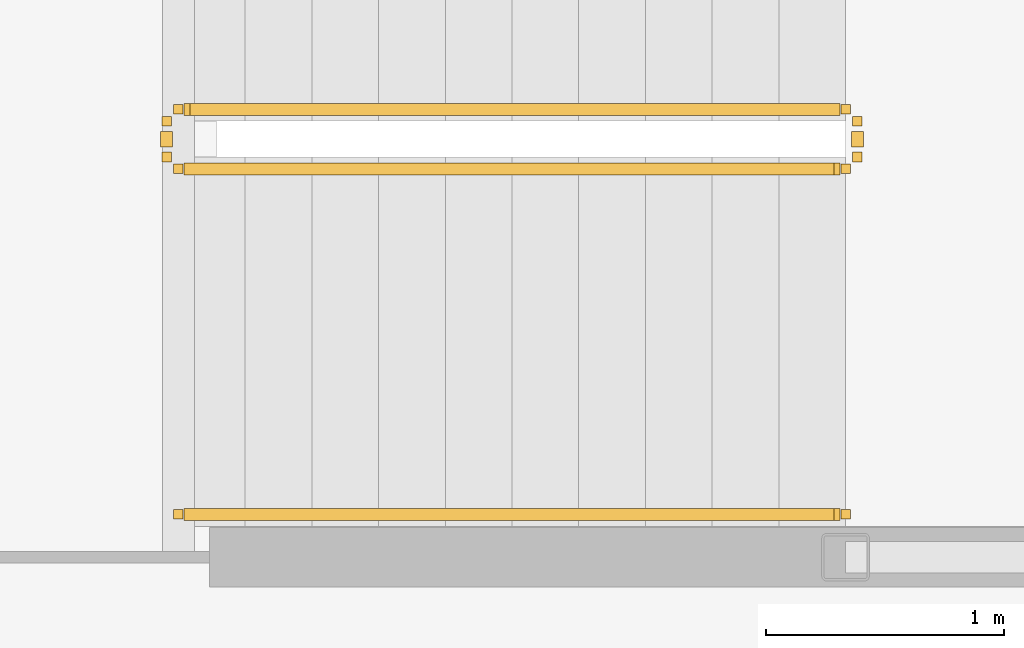
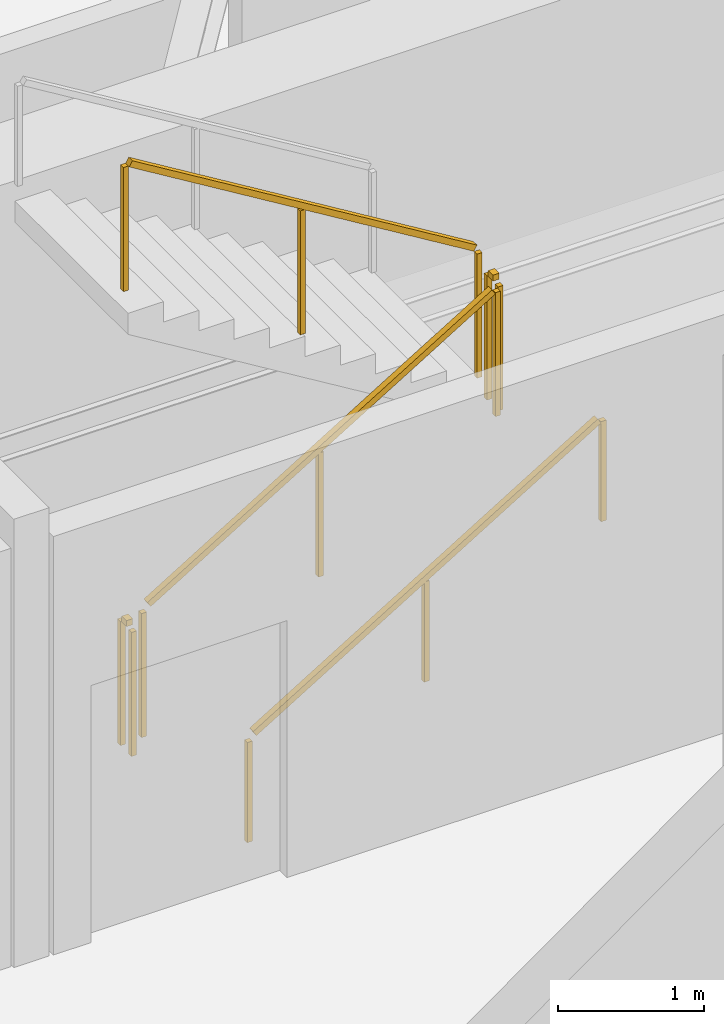
# One storey, part 20 of 21: 5 railings.
"""IFC4 building model written with IfcOpenShell, lengths in metres."""

from ifc_helpers import new_model, si_unit, direction, frame, origin, origin_2d, place, context, subcontext, project, spatial, rectangle, extrude, material, type_object, element, save


model = new_model("IFC4")

# Units and contexts
model_context = context("Model", 3, precision=1e-05, world=origin(), true_north=direction((0.0, 1.0)))
body_context = subcontext(model_context, "Body", "Model", "MODEL_VIEW")
ifc_project = project(units=[si_unit("LENGTHUNIT", "METRE"), si_unit("AREAUNIT", "SQUARE_METRE"), si_unit("VOLUMEUNIT", "CUBIC_METRE"), si_unit("PLANEANGLEUNIT", "RADIAN"), si_unit("MASSUNIT", "GRAM", prefix="KILO")], contexts=[model_context])

# Site, building, storey
site_placement = place(None, origin())
site = spatial("IfcSite", under=ifc_project, at=site_placement, CompositionType="ELEMENT")
building_placement = place(site_placement, origin())
building = spatial("IfcBuilding", under=site, at=building_placement, Name="Kazma Halo Residences", CompositionType="ELEMENT")
storey_placement = place(building_placement, frame((0.0, 0.0, 184.050048828125)))
storey = spatial("IfcBuildingStorey", under=building, at=storey_placement, Name="L46", CompositionType="ELEMENT", Elevation=184.050048828125)

# Railings
ifc_material_1 = material(Name="Painted Steel S355", Category="steel")
railing_type_1 = type_object("IfcRailingType", Name="RLG-STAIR-GRD-1100", PredefinedType="GUARDRAIL", material=ifc_material_1)
railing_1_placement = place(storey_placement, frame((53.199951171875, 48.25, 0.17041015625)))
element("IfcRailing", 1, at=railing_1_placement, inside=storey, type_object=railing_type_1, Name="L46 ST-02 stair guard 1", PredefinedType="GUARDRAIL", context=body_context, shape_type="SweptSolid", body=[
    extrude(rectangle(XDim=0.050048828125, YDim=0.050048828125, at=origin_2d()), frame((0.036376953125, 0.0, 1.09716796875), z_axis=(0.854169791009, 0.0, 0.51999420009), x_axis=(0.0, 1.0, 0.0)), (0.0, 0.0, 1.0), 3.193115234375),
    extrude(rectangle(XDim=0.0400390625, YDim=0.0400390625, at=origin_2d()), origin(), (0.0, 0.0, 1.0), 1.0380859375),
    extrude(rectangle(XDim=0.0400390625, YDim=0.0400390625, at=origin_2d()), frame((1.39990234375, 0.0, 0.852294921875)), (0.0, 0.0, 1.0), 1.0380859375),
    extrude(rectangle(XDim=0.0400390625, YDim=0.0400390625, at=origin_2d()), frame((2.800048828125, 0.0, 1.70458984375)), (0.0, 0.0, 1.0), 1.0380859375),
])
railing_2_placement = place(storey_placement, frame((56.050048828125, 48.300048828125, 1.875)))
element("IfcRailing", 2, at=railing_2_placement, inside=storey, type_object=railing_type_1, Name="L46 ST-02 stair guard 2", PredefinedType="GUARDRAIL", context=body_context, shape_type="SweptSolid", body=[
    extrude(rectangle(XDim=0.050048828125, YDim=0.050048828125, at=origin_2d()), frame((0.0, 0.04248046875, 1.0751953125), z_axis=(0.0, 1.0, 0.0), x_axis=(-1.0, 0.0, 0.0)), (0.0, 0.0, 1.0), 0.06494140625),
    extrude(rectangle(XDim=0.0400390625, YDim=0.0400390625, at=origin_2d()), origin(), (0.0, 0.0, 1.0), 1.0380859375),
    extrude(rectangle(XDim=0.0400390625, YDim=0.0400390625, at=origin_2d()), frame((0.0, 0.14990234375, 0.0)), (0.0, 0.0, 1.0), 1.0380859375),
])
railing_3_placement = place(storey_placement, frame((56.0, 48.5, 2.04541015625)))
element("IfcRailing", 3, at=railing_3_placement, inside=storey, type_object=railing_type_1, Name="L46 ST-02 stair guard 3", PredefinedType="GUARDRAIL", context=body_context, shape_type="SweptSolid", body=[
    extrude(rectangle(XDim=0.050048828125, YDim=0.050048828125, at=origin_2d()), frame((-0.036376953125, 0.0, 1.09716796875), z_axis=(-0.854169791009, 0.0, 0.51999420009), x_axis=(0.0, -1.0, 0.0)), (0.0, 0.0, 1.0), 3.193115234375),
    extrude(rectangle(XDim=0.0400390625, YDim=0.0400390625, at=origin_2d()), origin(), (0.0, 0.0, 1.0), 1.0380859375),
    extrude(rectangle(XDim=0.0400390625, YDim=0.0400390625, at=origin_2d()), frame((-1.39990234375, 0.0, 0.852294921875)), (0.0, 0.0, 1.0), 1.0380859375),
    extrude(rectangle(XDim=0.0400390625, YDim=0.0400390625, at=origin_2d()), frame((-2.800048828125, 0.0, 1.70458984375)), (0.0, 0.0, 1.0), 1.0380859375),
])
railing_4_placement = place(storey_placement, frame((53.14990234375, 48.300048828125, 0.0)))
element("IfcRailing", 4, at=railing_4_placement, inside=storey, type_object=railing_type_1, Name="L46 ST-02 stair guard 4", PredefinedType="GUARDRAIL", context=body_context, shape_type="SweptSolid", body=[
    extrude(rectangle(XDim=0.050048828125, YDim=0.050048828125, at=origin_2d()), frame((0.0, 0.04248046875, 1.0751953125), z_axis=(0.0, 1.0, 0.0), x_axis=(-1.0, 0.0, 0.0)), (0.0, 0.0, 1.0), 0.06494140625),
    extrude(rectangle(XDim=0.0400390625, YDim=0.0400390625, at=origin_2d()), origin(), (0.0, 0.0, 1.0), 1.0380859375),
    extrude(rectangle(XDim=0.0400390625, YDim=0.0400390625, at=origin_2d()), frame((0.0, 0.14990234375, 0.0)), (0.0, 0.0, 1.0), 1.0380859375),
])
ifc_material_2 = material(Name="Brushed Stainless Steel", Category="steel")
railing_type_2 = type_object("IfcRailingType", Name="RLG-STAIR-HND-900", PredefinedType="HANDRAIL", material=ifc_material_2)
railing_5_placement = place(storey_placement, frame((53.199951171875, 46.800048828125, 0.17041015625)))
element("IfcRailing", 5, at=railing_5_placement, inside=storey, type_object=railing_type_2, Name="L46 ST-02 stair handrail 1", PredefinedType="HANDRAIL", context=body_context, shape_type="SweptSolid", body=[
    extrude(rectangle(XDim=0.050048828125, YDim=0.050048828125, at=origin_2d()), frame((0.036376953125, 0.0, 0.89697265625), z_axis=(0.854169791009, 0.0, 0.51999420009), x_axis=(0.0, 1.0, 0.0)), (0.0, 0.0, 1.0), 3.193115234375),
    extrude(rectangle(XDim=0.0400390625, YDim=0.0400390625, at=origin_2d()), origin(), (0.0, 0.0, 1.0), 0.837890625),
    extrude(rectangle(XDim=0.0400390625, YDim=0.0400390625, at=origin_2d()), frame((1.39990234375, 0.0, 0.852294921875)), (0.0, 0.0, 1.0), 0.837890625),
    extrude(rectangle(XDim=0.0400390625, YDim=0.0400390625, at=origin_2d()), frame((2.800048828125, 0.0, 1.70458984375)), (0.0, 0.0, 1.0), 0.837890625),
])

save(model, "model.ifc")
